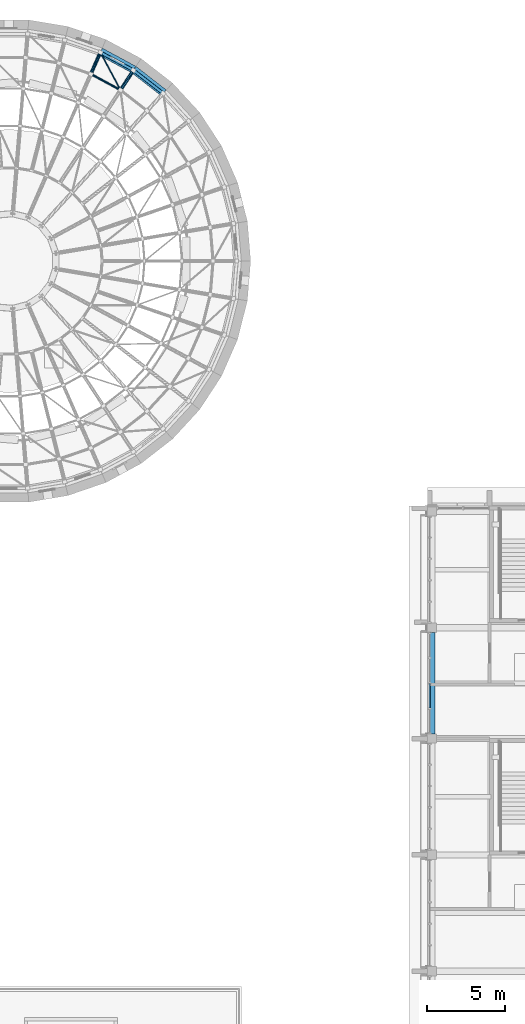
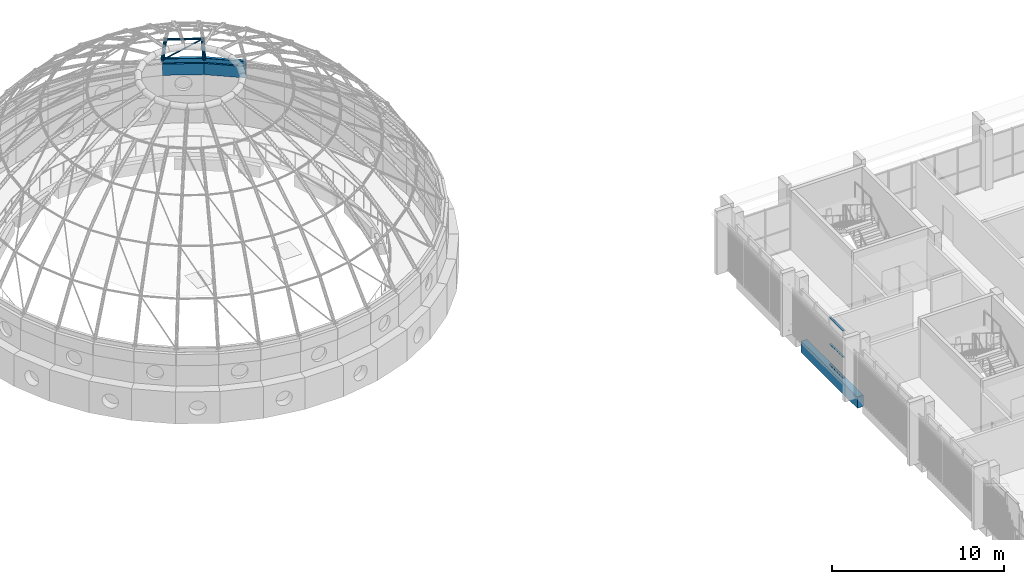
# One storey, part 34 of 98: 9 members, 3 beams, 1 element without a shape of its own.
"""IFC4 building model written with IfcOpenShell, lengths in metres."""

import ifcopenshell
import ifcopenshell.guid

model = None  # the IFC model being written
_history = None  # IfcOwnerHistory: only IFC2X3 demands one
_inside = {}  # id of a spatial element -> (the spatial element, [elements in it])
_under = {}  # id of a project, library or spatial element -> (it, [spatial elements below it])
_declared = {}  # id of a project -> (the project, [libraries it declares])
_typed = {}  # id of a type object -> (the type object, [elements of that type])
_made_of = {}  # id of a material, layer set ... -> (it, [elements and type objects made of it])


def new_model(schema):
    """Start an empty IFC model of exactly this schema.

    Asked for "IFC4X3", IfcOpenShell would pick the latest addendum, in which some entities
    have other attributes; the version numbers below select the first issue.
    IFC2X3 requires an IfcOwnerHistory on every rooted entity: one is made here for all.
    """
    global model, _history
    if schema == "IFC4X3":
        model = ifcopenshell.file(schema_version=(4, 3, 0, 0))
    else:
        model = ifcopenshell.file(schema=schema)
    _inside.clear()
    _under.clear()
    _declared.clear()
    _typed.clear()
    _made_of.clear()
    _history = None
    if model.schema == "IFC2X3":
        org = make("IfcOrganization", Name="unknown")
        user = make(
            "IfcPersonAndOrganization",
            ThePerson=make("IfcPerson", FamilyName="unknown"),
            TheOrganization=org,
        )
        app = make(
            "IfcApplication",
            ApplicationDeveloper=org,
            Version="unknown",
            ApplicationFullName="unknown",
            ApplicationIdentifier="unknown",
        )
        _history = make(
            "IfcOwnerHistory",
            OwningUser=user,
            OwningApplication=app,
            ChangeAction="ADDED",
            CreationDate=0,
        )
    return model


def make(cls, **values):
    """One entity of the class cls with the attributes given. An attribute that is None is left unset."""
    return model.create_entity(
        cls, **{name: value for name, value in values.items() if value is not None}
    )


def rooted(cls, **values):
    """An entity with a GlobalId (a new one), such as an element, a storey or a relation."""
    return make(cls, GlobalId=ifcopenshell.guid.new(), OwnerHistory=_history, **values)


def si_unit(unit_type, name, prefix=None):
    """IfcSIUnit, for example si_unit("LENGTHUNIT", "METRE", prefix="MILLI")."""
    return make("IfcSIUnit", UnitType=unit_type, Prefix=prefix, Name=name)


def assignment(units):
    """IfcUnitAssignment: the units of a project."""
    return None if units is None else make("IfcUnitAssignment", Units=units)


def point(xyz):
    """IfcCartesianPoint."""
    return None if xyz is None else make("IfcCartesianPoint", Coordinates=xyz)


def direction(xyz):
    """IfcDirection."""
    return None if xyz is None else make("IfcDirection", DirectionRatios=xyz)


def frame(location, z_axis=None, x_axis=None):
    """IfcAxis2Placement3D, a coordinate frame: its origin and axes. An axis left out is left unset."""
    return make(
        "IfcAxis2Placement3D",
        Location=point(location),
        Axis=direction(z_axis),
        RefDirection=direction(x_axis),
    )


def frame_2d(location, x_axis=None):
    """IfcAxis2Placement2D, a coordinate frame in the plane: its origin and x axis."""
    return make(
        "IfcAxis2Placement2D", Location=point(location), RefDirection=direction(x_axis)
    )


def origin():
    """The frame at (0, 0, 0) with its axes left unset."""
    return frame((0.0, 0.0, 0.0))


def origin_2d():
    """The frame at (0, 0) in the plane with its x axis left unset."""
    return frame_2d((0.0, 0.0))


def place(relative_to, where):
    """IfcLocalPlacement: puts the frame where relative to a parent placement (None: the world)."""
    return make(
        "IfcLocalPlacement", PlacementRelTo=relative_to, RelativePlacement=where
    )


def context(
    kind, dimensions, precision=None, world=None, true_north=None, identifier=None
):
    """IfcGeometricRepresentationContext, for example the 3D "Model" context."""
    return make(
        "IfcGeometricRepresentationContext",
        ContextIdentifier=identifier,
        ContextType=kind,
        CoordinateSpaceDimension=dimensions,
        Precision=precision,
        WorldCoordinateSystem=world,
        TrueNorth=true_north,
    )


def subcontext(parent, identifier, kind, view, scale=None):
    """IfcGeometricRepresentationSubContext, for example "Body" below "Model"."""
    return make(
        "IfcGeometricRepresentationSubContext",
        ContextIdentifier=identifier,
        ContextType=kind,
        ParentContext=parent,
        TargetScale=scale,
        TargetView=view,
    )


def project(units=None, contexts=None):
    """IfcProject with its units and contexts."""
    return rooted(
        "IfcProject",
        Name="project",
        RepresentationContexts=contexts,
        UnitsInContext=assignment(units),
    )


def spatial(cls, under=None, at=None, **own):
    """A site, building, storey or space (cls), placed at a placement, below another one or the project."""
    s = rooted(cls, ObjectPlacement=at, **own)
    if under is not None:
        _under.setdefault(under.id(), (under, []))[1].append(s)
    return s


def profile(cls, at=None, kind="AREA", **sizes):
    """A parametric profile (cls). Its sizes go by their IFC names, for example OverallWidth=200.0."""
    return make(cls, ProfileType=kind, Position=at, **sizes)


def rectangle(**sizes):
    """IfcRectangleProfileDef."""
    return profile("IfcRectangleProfileDef", **sizes)


def hollow_rectangle(**sizes):
    """IfcRectangleHollowProfileDef."""
    return profile("IfcRectangleHollowProfileDef", **sizes)


def hollow_circle(**sizes):
    """IfcCircleHollowProfileDef."""
    return profile("IfcCircleHollowProfileDef", **sizes)


def extrude(swept, where, along, depth):
    """IfcExtrudedAreaSolid: the profile swept, set in the frame where, extruded along a direction by depth."""
    return make(
        "IfcExtrudedAreaSolid",
        SweptArea=swept,
        Position=where,
        ExtrudedDirection=direction(along),
        Depth=depth,
    )


def shape(context_of_items, identifier, shape_type, items):
    """IfcShapeRepresentation: the items that make up one representation, for example the "Body"."""
    return make(
        "IfcShapeRepresentation",
        ContextOfItems=context_of_items,
        RepresentationIdentifier=identifier,
        RepresentationType=shape_type,
        Items=items,
    )


def material(Name=None, Category=None):
    """IfcMaterial."""
    return make("IfcMaterial", Name=Name, Category=Category)


def material_profile(
    of_material, cross_section, Name=None, Category=None, Priority=None
):
    """IfcMaterialProfile: a cross section and its material."""
    return make(
        "IfcMaterialProfile",
        Name=Name,
        Material=of_material,
        Profile=cross_section,
        Priority=Priority,
        Category=Category,
    )


def profile_set(profiles, Name=None, composite=None):
    """IfcMaterialProfileSet."""
    return make(
        "IfcMaterialProfileSet",
        Name=Name,
        MaterialProfiles=profiles,
        CompositeProfile=composite,
    )


def made_of(thing, what):
    """Note that an element or type object is made of a material, layer set ...; save() writes the relation."""
    if what is not None:
        _made_of.setdefault(what.id(), (what, []))[1].append(thing)
    return thing


def type_object(cls, material=None, **own):
    """A type object (cls), such as IfcWallType, which elements share."""
    return made_of(rooted(cls, **own), material)


def element(
    cls,
    number,
    at=None,
    inside=None,
    cuts=None,
    type_object=None,
    material=None,
    context=None,
    identifier="Body",
    shape_type=None,
    held_by="IfcProductDefinitionShape",
    body=None,
    shapes=None,
    **own,
):
    """One element of the class cls, such as IfcWall. Its Tag is "e" and its number.

    at: its placement. inside: the storey or other place that contains it. cuts: it is an
    opening in that element (IfcRelVoidsElement). A single representation is given by context,
    identifier, shape_type and body (its items); several are given by shapes. held_by: the class
    of the entity that holds the representations. save() writes the other relations.
    """
    e = rooted(cls, Tag="e%d" % number, ObjectPlacement=at, **own)
    if body is not None:
        shapes = [shape(context, identifier, shape_type, body)]
    if shapes is not None:
        e.Representation = make(held_by, Representations=shapes)
    if inside is not None:
        _inside.setdefault(inside.id(), (inside, []))[1].append(e)
    if cuts is not None:
        rooted(
            "IfcRelVoidsElement", RelatingBuildingElement=cuts, RelatedOpeningElement=e
        )
    if type_object is not None:
        _typed.setdefault(type_object.id(), (type_object, []))[1].append(e)
    return made_of(e, material)


def aggregate(whole, parts):
    """IfcRelAggregates: a whole, such as a stair, and the parts it consists of."""
    return rooted("IfcRelAggregates", RelatingObject=whole, RelatedObjects=parts)


def save(model, path):
    """Write the relations noted so far, then the file.

    IfcRelAggregates (storeys below a building ...), IfcRelContainedInSpatialStructure (elements
    in a storey), IfcRelDefinesByType, IfcRelAssociatesMaterial and IfcRelDeclares: one each for
    every whole, place, type object, material and project.
    """
    for whole, parts in _under.values():
        aggregate(whole, parts)
    for where, things in _inside.values():
        rooted(
            "IfcRelContainedInSpatialStructure",
            RelatedElements=things,
            RelatingStructure=where,
        )
    for kind, things in _typed.values():
        rooted("IfcRelDefinesByType", RelatedObjects=things, RelatingType=kind)
    for what, things in _made_of.values():
        rooted("IfcRelAssociatesMaterial", RelatedObjects=things, RelatingMaterial=what)
    for by, libraries in _declared.values():
        rooted("IfcRelDeclares", RelatingContext=by, RelatedDefinitions=libraries)
    model.write(path)


model = new_model("IFC4")

# Units and contexts
model_context = context("Model", 3, precision=1e-05, world=origin(), true_north=direction((0.0, 1.0)))
body_context = subcontext(model_context, "Body", "Model", "MODEL_VIEW")
ifc_project = project(units=[si_unit("LENGTHUNIT", "METRE"), si_unit("AREAUNIT", "SQUARE_METRE"), si_unit("VOLUMEUNIT", "CUBIC_METRE"), si_unit("PLANEANGLEUNIT", "RADIAN"), si_unit("MASSUNIT", "GRAM", prefix="KILO")], contexts=[model_context])

# Site, building, storey
site_placement = place(None, origin())
site = spatial("IfcSite", under=ifc_project, at=site_placement, CompositionType="ELEMENT")
building_placement = place(site_placement, origin())
building = spatial("IfcBuilding", under=site, at=building_placement, Name="Sun Court Science Centre", CompositionType="ELEMENT")
storey_placement = place(building_placement, frame((0.0, 0.0, 15.75)))
storey = spatial("IfcBuildingStorey", under=building, at=storey_placement, Name="L03", CompositionType="ELEMENT", Elevation=15.75)

# Curtain wall, members
ifc_material_1 = material(Name="Aluminium EN AW-6063 T6", Category="aluminium")
curtain_wall_type = type_object("IfcCurtainWallType", Name="Laboratory tall bay curtain wall 1500", PredefinedType="NOTDEFINED", material=ifc_material_1)
curtain_wall_placement = place(storey_placement, origin())
curtain_wall = element("IfcCurtainWall", 1, at=curtain_wall_placement, inside=storey, type_object=curtain_wall_type, Name="Curtain wall V4 W L03 08", PredefinedType="NOTDEFINED")
ifc_material_2 = material(Name="Aluminium EN AW-6063 T6", Category="aluminium")
ifc_material_profile_1 = material_profile(ifc_material_2, hollow_rectangle(XDim=0.06005859375, YDim=0.1201171875, WallThickness=0.00390625, InnerFilletRadius=0.00390625, OuterFilletRadius=0.006103515625, at=origin_2d()), Name="AL 60x120x4")
ifc_profile_set_1 = profile_set([ifc_material_profile_1], Name="Aluminium EN AW-6063 T6")
member_type_1 = type_object("IfcMemberType", Name="Curtain wall transom AL 60x120", PredefinedType="USERDEFINED", material=ifc_profile_set_1)
member_1_placement = place(storey_placement, frame((78.14990234375, 67.967529296875, 0.030029296875), z_axis=(0.0, 1.0, 0.0), x_axis=(0.0, 0.0, 1.0)))
member_1 = element("IfcMember", 2, at=member_1_placement, type_object=member_type_1, Name="CW2-35 transom 2.1", ObjectType="TRANSOM", PredefinedType="USERDEFINED", context=body_context, shape_type="SweptSolid", body=[
    extrude(hollow_rectangle(XDim=0.06005859375, YDim=0.1201171875, WallThickness=0.00390625, InnerFilletRadius=0.00390625, OuterFilletRadius=0.006103515625, at=origin_2d()), origin(), (0.0, 0.0, 1.0), 1.577392578125),
])
member_2_placement = place(storey_placement, frame((78.14990234375, 67.967529296875, 1.5), z_axis=(0.0, 1.0, 0.0), x_axis=(0.0, 0.0, 1.0)))
member_2 = element("IfcMember", 3, at=member_2_placement, type_object=member_type_1, Name="CW2-35 transom 2.2", ObjectType="TRANSOM", PredefinedType="USERDEFINED", context=body_context, shape_type="SweptSolid", body=[
    extrude(hollow_rectangle(XDim=0.06005859375, YDim=0.1201171875, WallThickness=0.00390625, InnerFilletRadius=0.00390625, OuterFilletRadius=0.006103515625, at=origin_2d()), origin(), (0.0, 0.0, 1.0), 1.577392578125),
])
member_3_placement = place(storey_placement, frame((78.14990234375, 67.967529296875, 3.3701171875), z_axis=(0.0, 1.0, 0.0), x_axis=(0.0, 0.0, 1.0)))
member_3 = element("IfcMember", 4, at=member_3_placement, type_object=member_type_1, Name="CW2-35 transom 2.3", ObjectType="TRANSOM", PredefinedType="USERDEFINED", context=body_context, shape_type="SweptSolid", body=[
    extrude(hollow_rectangle(XDim=0.06005859375, YDim=0.1201171875, WallThickness=0.00390625, InnerFilletRadius=0.00390625, OuterFilletRadius=0.006103515625, at=origin_2d()), origin(), (0.0, 0.0, 1.0), 1.577392578125),
])
aggregate(curtain_wall, [member_1, member_2, member_3])

# Members
ifc_material_3 = material(Name="Steel S355", Category="steel")
ifc_material_profile_2 = material_profile(ifc_material_3, hollow_circle(Radius=0.04443359375, WallThickness=0.0048828125, at=origin_2d()), Name="CHS 88.9x5")
ifc_profile_set_2 = profile_set([ifc_material_profile_2], Name="Steel S355")
member_type_2 = type_object("IfcMemberType", Name="Dome brace CHS 88.9x5", PredefinedType="BRACE", material=ifc_profile_set_2)
member_4_placement = place(storey_placement, frame((58.204345703125, 107.8271484375, 6.87353515625), z_axis=(-0.34764069423, 0.650879496635, -0.67490875574), x_axis=(-0.882068632406, -0.471120926859, 0.0)))
element("IfcMember", 5, at=member_4_placement, inside=storey, type_object=member_type_2, Name="Dome brace 5.6", PredefinedType="BRACE", context=body_context, shape_type="SweptSolid", body=[
    extrude(hollow_circle(Radius=0.04443359375, WallThickness=0.0048828125, at=origin_2d()), origin(), (0.0, 0.0, 1.0), 3.739013671875),
])
ifc_material_4 = material(Name="Steel S355", Category="steel")
ifc_material_profile_3 = material_profile(ifc_material_4, hollow_circle(Radius=0.109619140625, WallThickness=0.010009765625, at=origin_2d()), Name="CHS 219.1x10")
ifc_profile_set_3 = profile_set([ifc_material_profile_3], Name="Steel S355")
member_type_3 = type_object("IfcMemberType", Name="Dome rib CHS 219.1x10", PredefinedType="RAFTER", material=ifc_profile_set_3)
for number, where, z_axis, x_axis, name in (
    (6, (59.03955078125, 109.105224609375, 4.35009765625), (-0.283180847183, -0.433338712366, 0.855585278131), (0.837107620149, -0.547038236587, 0.0), "Dome rib 6"),
    (7, (56.904541015625, 110.2607421875, 4.35009765625), (-0.207936212699, -0.474064765178, 0.85558467136), (0.915778921316, -0.40168266987, 0.0), "Dome rib 7"),
):
    element("IfcMember", number, at=place(storey_placement, frame(where, z_axis=z_axis, x_axis=x_axis)), inside=storey, type_object=member_type_3, Name=name, PredefinedType="RAFTER", context=body_context, shape_type="SweptSolid", body=[
        extrude(hollow_circle(Radius=0.109619140625, WallThickness=0.010009765625, at=origin_2d()), origin(), (0.0, 0.0, 1.0), 2.949462890625),
    ])
ifc_material_5 = material(Name="Steel S355", Category="steel")
ifc_material_profile_4 = material_profile(ifc_material_5, hollow_circle(Radius=0.06982421875, WallThickness=0.00634765625, at=origin_2d()), Name="CHS 139.7x6.3")
ifc_profile_set_4 = profile_set([ifc_material_profile_4], Name="Steel S355")
member_type_4 = type_object("IfcMemberType", Name="Dome ring CHS 139.7x6.3", PredefinedType="MEMBER", material=ifc_profile_set_4)
member_5_placement = place(storey_placement, frame((58.204345703125, 107.8271484375, 6.87353515625), z_axis=(-0.879456421799, 0.475979413585, 0.0), x_axis=(-0.475979413585, -0.879456421799, 0.0)))
element("IfcMember", 8, at=member_5_placement, inside=storey, type_object=member_type_4, Name="Dome ring 5 chord 6", PredefinedType="MEMBER", context=body_context, shape_type="SweptSolid", body=[
    extrude(hollow_circle(Radius=0.06982421875, WallThickness=0.00634765625, at=origin_2d()), origin(), (0.0, 0.0, 1.0), 2.17529296875),
])
ifc_material_6 = material(Name="Steel S355", Category="steel")
ifc_material_profile_5 = material_profile(ifc_material_6, hollow_rectangle(XDim=0.199951171875, YDim=0.300048828125, WallThickness=0.012451171875, InnerFilletRadius=0.012451171875, OuterFilletRadius=0.018798828125, at=origin_2d()), Name="RHS 300x200x12.5")
ifc_profile_set_5 = profile_set([ifc_material_profile_5], Name="Steel S355")
member_type_5 = type_object("IfcMemberType", Name="Dome tension ring RHS 300x200x12.5", PredefinedType="MEMBER", material=ifc_profile_set_5)
member_6_placement = place(storey_placement, frame((60.955322265625, 107.6142578125, 4.35009765625), z_axis=(-0.789168062521, 0.614177310796, 0.0), x_axis=(-0.614177310796, -0.789168062521, 0.0)))
element("IfcMember", 9, at=member_6_placement, inside=storey, type_object=member_type_5, Name="Dome tension ring 5", PredefinedType="MEMBER", context=body_context, shape_type="SweptSolid", body=[
    extrude(hollow_rectangle(XDim=0.199951171875, YDim=0.300048828125, WallThickness=0.012451171875, InnerFilletRadius=0.012451171875, OuterFilletRadius=0.018798828125, at=origin_2d()), origin(), (0.0, 0.0, 1.0), 2.427490234375),
])
member_7_placement = place(storey_placement, frame((59.03955078125, 109.105224609375, 4.35009765625), z_axis=(-0.879455116322, 0.475981825678, 0.0), x_axis=(-0.475981825678, -0.879455116322, 0.0)))
element("IfcMember", 10, at=member_7_placement, inside=storey, type_object=member_type_5, Name="Dome tension ring 6", PredefinedType="MEMBER", context=body_context, shape_type="SweptSolid", body=[
    extrude(hollow_rectangle(XDim=0.199951171875, YDim=0.300048828125, WallThickness=0.012451171875, InnerFilletRadius=0.012451171875, OuterFilletRadius=0.018798828125, at=origin_2d()), origin(), (0.0, 0.0, 1.0), 2.427734375),
])

# Beams
ifc_material_7 = material(Name="Concrete C25/30", Category="concrete")
ifc_material_profile_6 = material_profile(ifc_material_7, rectangle(XDim=0.39990234375, YDim=0.800048828125, at=origin_2d()), Name="RC 400x800")
ifc_profile_set_6 = profile_set([ifc_material_profile_6], Name="Concrete C25/30")
beam_type_1 = type_object("IfcBeamType", Name="RC girder 400x800", PredefinedType="BEAM", material=ifc_profile_set_6)
beam_1_placement = place(storey_placement, frame((78.300048828125, 66.300048828125, -0.699951171875), z_axis=(0.0, 1.0, 0.0), x_axis=(-1.0, 0.0, 0.0)))
element("IfcBeam", 11, at=beam_1_placement, inside=storey, type_object=beam_type_1, Name="Girder L03 line 1", PredefinedType="BEAM", context=body_context, shape_type="SweptSolid", body=[
    extrude(rectangle(XDim=0.39990234375, YDim=0.800048828125, at=origin_2d()), origin(), (0.0, 0.0, 1.0), 6.550048828125),
])
ifc_material_8 = material(Name="Concrete C25/30", Category="concrete")
ifc_material_profile_7 = material_profile(ifc_material_8, rectangle(XDim=0.5, YDim=0.800048828125, at=origin_2d()), Name="RC 500x800")
ifc_profile_set_7 = profile_set([ifc_material_profile_7], Name="Concrete C25/30")
beam_type_2 = type_object("IfcBeamType", Name="RC girder 500x800", PredefinedType="BEAM", material=ifc_profile_set_7)
beam_2_placement = place(storey_placement, frame((60.9892578125, 107.6513671875, 3.800048828125), z_axis=(-0.78913088347, 0.614225079881, 0.0), x_axis=(-0.614225079881, -0.78913088347, 0.0)))
element("IfcBeam", 12, at=beam_2_placement, inside=storey, type_object=beam_type_2, Name="Drum ring beam 5", PredefinedType="BEAM", context=body_context, shape_type="SweptSolid", body=[
    extrude(rectangle(XDim=0.5, YDim=0.800048828125, at=origin_2d()), origin(), (0.0, 0.0, 1.0), 2.435791015625),
])
beam_3_placement = place(storey_placement, frame((59.067138671875, 109.1474609375, 3.800048828125), z_axis=(-0.879487748824, 0.475921526796, 0.0), x_axis=(-0.475921526796, -0.879487748824, 0.0)))
element("IfcBeam", 13, at=beam_3_placement, inside=storey, type_object=beam_type_2, Name="Drum ring beam 6", PredefinedType="BEAM", context=body_context, shape_type="SweptSolid", body=[
    extrude(rectangle(XDim=0.5, YDim=0.800048828125, at=origin_2d()), origin(), (0.0, 0.0, 1.0), 2.436279296875),
])

save(model, "model.ifc")
